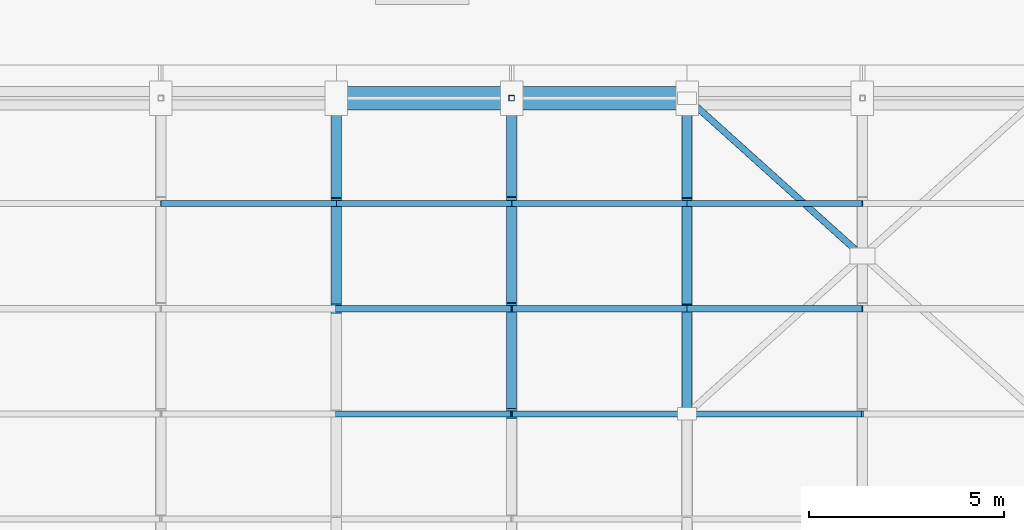
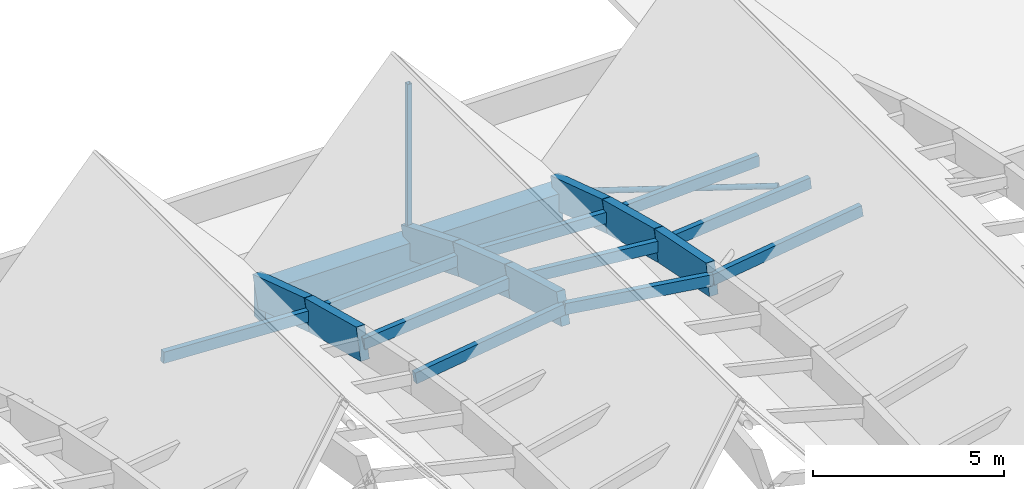
# One storey, part 24 of 39: 20 members, 1 beam.
"""IFC4 building model written with IfcOpenShell, lengths in metres."""

from ifc_helpers import new_model, si_unit, direction, frame, origin, origin_2d, place, context, subcontext, project, spatial, rectangle, hollow_rectangle, hollow_circle, extrude, material, material_profile, profile_set, type_object, element, save


model = new_model("IFC4")

# Units and contexts
model_context = context("Model", 3, precision=1e-05, world=origin(), true_north=direction((0.0, 1.0)))
body_context = subcontext(model_context, "Body", "Model", "MODEL_VIEW")
ifc_project = project(units=[si_unit("LENGTHUNIT", "METRE"), si_unit("AREAUNIT", "SQUARE_METRE"), si_unit("VOLUMEUNIT", "CUBIC_METRE"), si_unit("PLANEANGLEUNIT", "RADIAN"), si_unit("MASSUNIT", "GRAM", prefix="KILO")], contexts=[model_context])

# Site, building, storey
site_placement = place(None, origin())
site = spatial("IfcSite", under=ifc_project, at=site_placement, CompositionType="ELEMENT")
building_placement = place(site_placement, origin())
building = spatial("IfcBuilding", under=site, at=building_placement, Name="Tizgana Railside Sports Hall", CompositionType="ELEMENT")
storey_placement = place(building_placement, frame((0.0, 0.0, 23.699951171875)))
storey = spatial("IfcBuildingStorey", under=building, at=storey_placement, Name="RF", CompositionType="ELEMENT", Elevation=23.699951171875)

# Beam
ifc_material_1 = material(Name="Concrete C40/50", Category="concrete")
ifc_material_profile_1 = material_profile(ifc_material_1, rectangle(XDim=0.60009765625, YDim=1.14990234375, at=origin_2d()), Name="RCB 600x1150")
ifc_profile_set_1 = profile_set([ifc_material_profile_1], Name="Concrete C40/50")
beam_type = type_object("IfcBeamType", Name="Concrete Beam RCB 600x1150", PredefinedType="BEAM", material=ifc_profile_set_1)
beam_placement = place(storey_placement, frame((115.800048828125, 73.199951171875, -3.27490234375), z_axis=(1.0, 0.0, 0.0), x_axis=(0.0, 1.0, 0.0)))
element("IfcBeam", 1, at=beam_placement, inside=storey, type_object=beam_type, Name="RF BEM-1233", PredefinedType="BEAM", context=body_context, shape_type="SweptSolid", body=[
    extrude(rectangle(XDim=0.60009765625, YDim=1.14990234375, at=origin_2d()), origin(), (0.0, 0.0, 1.0), 9.0),
])

# Members
ifc_material_2 = material(Name="Glulam GL32h", Category="wood")
ifc_material_profile_2 = material_profile(ifc_material_2, rectangle(XDim=0.260009765625, YDim=0.97998046875, at=origin_2d()), Name="GL 260x980")
ifc_profile_set_2 = profile_set([ifc_material_profile_2], Name="Glulam GL32h")
member_type_1 = type_object("IfcMemberType", Name="Glulam Arch Segment GL 260x980", PredefinedType="USERDEFINED", material=ifc_profile_set_2)
member_1_placement = place(storey_placement, frame((115.800048828125, 67.800048828125, -1.264404296875), z_axis=(0.0, 0.96740233444, -0.253244394448), x_axis=(-1.0, 0.0, 0.0)))
element("IfcMember", 2, at=member_1_placement, inside=storey, type_object=member_type_1, Name="RF V2 Arch Chord MEM-0520", ObjectType="ARCH_SEGMENT", PredefinedType="USERDEFINED", context=body_context, shape_type="SweptSolid", body=[
    extrude(rectangle(XDim=0.260009765625, YDim=0.97998046875, at=origin_2d()), origin(), (0.0, 0.0, 1.0), 2.791015625),
])
member_2_placement = place(storey_placement, frame((115.800048828125, 70.5, -1.97119140625), z_axis=(0.0, 0.950912040346, -0.30946129245), x_axis=(-1.0, 0.0, 0.0)))
element("IfcMember", 3, at=member_2_placement, inside=storey, type_object=member_type_1, Name="RF V2 Arch Chord MEM-0521", ObjectType="ARCH_SEGMENT", PredefinedType="USERDEFINED", context=body_context, shape_type="SweptSolid", body=[
    extrude(rectangle(XDim=0.260009765625, YDim=0.97998046875, at=origin_2d()), origin(), (0.0, 0.0, 1.0), 2.83935546875),
])
member_3_placement = place(storey_placement, frame((120.300048828125, 65.10009765625, -0.08447265625), z_axis=(0.0, 0.963066151939, -0.269264901148), x_axis=(-1.0, 0.0, 0.0)))
element("IfcMember", 4, at=member_3_placement, inside=storey, type_object=member_type_1, Name="RF V2 Arch Chord MEM-0532", ObjectType="ARCH_SEGMENT", PredefinedType="USERDEFINED", context=body_context, shape_type="SweptSolid", body=[
    extrude(rectangle(XDim=0.260009765625, YDim=0.97998046875, at=origin_2d()), origin(), (0.0, 0.0, 1.0), 2.803466796875),
])
member_4_placement = place(storey_placement, frame((120.300048828125, 67.800048828125, -0.83935546875), z_axis=(0.0, 0.946643794117, -0.322281751049), x_axis=(-1.0, 0.0, 0.0)))
element("IfcMember", 5, at=member_4_placement, inside=storey, type_object=member_type_1, Name="RF V2 Arch Chord MEM-0533", ObjectType="ARCH_SEGMENT", PredefinedType="USERDEFINED", context=body_context, shape_type="SweptSolid", body=[
    extrude(rectangle(XDim=0.260009765625, YDim=0.97998046875, at=origin_2d()), origin(), (0.0, 0.0, 1.0), 2.85205078125),
])
member_5_placement = place(storey_placement, frame((120.300048828125, 70.5, -1.758544921875), z_axis=(0.0, 0.927129277991, -0.37474164686), x_axis=(-1.0, 0.0, 0.0)))
element("IfcMember", 6, at=member_5_placement, inside=storey, type_object=member_type_1, Name="RF V2 Arch Chord MEM-0534", ObjectType="ARCH_SEGMENT", PredefinedType="USERDEFINED", context=body_context, shape_type="SweptSolid", body=[
    extrude(rectangle(XDim=0.260009765625, YDim=0.97998046875, at=origin_2d()), origin(), (0.0, 0.0, 1.0), 2.912109375),
])
member_6_placement = place(storey_placement, frame((124.800048828125, 65.10009765625, -0.721923828125), z_axis=(0.0, 0.980406395207, -0.196985533064), x_axis=(-1.0, 0.0, 0.0)))
element("IfcMember", 7, at=member_6_placement, inside=storey, type_object=member_type_1, Name="RF V2 Arch Chord MEM-0545", ObjectType="ARCH_SEGMENT", PredefinedType="USERDEFINED", context=body_context, shape_type="SweptSolid", body=[
    extrude(rectangle(XDim=0.260009765625, YDim=0.97998046875, at=origin_2d()), origin(), (0.0, 0.0, 1.0), 2.75390625),
])
member_7_placement = place(storey_placement, frame((124.800048828125, 67.800048828125, -1.264404296875), z_axis=(0.0, 0.96740233444, -0.253244394448), x_axis=(-1.0, 0.0, 0.0)))
element("IfcMember", 8, at=member_7_placement, inside=storey, type_object=member_type_1, Name="RF V2 Arch Chord MEM-0546", ObjectType="ARCH_SEGMENT", PredefinedType="USERDEFINED", context=body_context, shape_type="SweptSolid", body=[
    extrude(rectangle(XDim=0.260009765625, YDim=0.97998046875, at=origin_2d()), origin(), (0.0, 0.0, 1.0), 2.791015625),
])
member_8_placement = place(storey_placement, frame((124.800048828125, 70.5, -1.97119140625), z_axis=(0.0, 0.950912040346, -0.30946129245), x_axis=(-1.0, 0.0, 0.0)))
element("IfcMember", 9, at=member_8_placement, inside=storey, type_object=member_type_1, Name="RF V2 Arch Chord MEM-0547", ObjectType="ARCH_SEGMENT", PredefinedType="USERDEFINED", context=body_context, shape_type="SweptSolid", body=[
    extrude(rectangle(XDim=0.260009765625, YDim=0.97998046875, at=origin_2d()), origin(), (0.0, 0.0, 1.0), 2.83935546875),
])
ifc_material_3 = material(Name="Glulam GL28h", Category="wood")
ifc_material_profile_3 = material_profile(ifc_material_3, rectangle(XDim=0.159912109375, YDim=0.360107421875, at=origin_2d()), Name="GL 160x360")
ifc_profile_set_3 = profile_set([ifc_material_profile_3], Name="Glulam GL28h")
member_type_2 = type_object("IfcMemberType", Name="Glulam Roof Purlin GL 160x360", PredefinedType="PURLIN", material=ifc_profile_set_3)
member_9_placement = place(storey_placement, frame((111.300048828125, 70.5, -1.758544921875), z_axis=(0.998885359561, 0.0, -0.047202102223), x_axis=(0.0, 1.0, 0.0)))
element("IfcMember", 10, at=member_9_placement, inside=storey, type_object=member_type_2, Name="RF V2 Purlin MEM-0679", PredefinedType="PURLIN", context=body_context, shape_type="SweptSolid", body=[
    extrude(rectangle(XDim=0.159912109375, YDim=0.360107421875, at=origin_2d()), origin(), (0.0, 0.0, 1.0), 4.505126953125),
])
for number, where, z_axis, x_axis, name in (
    (11, (115.800048828125, 65.10009765625, -0.721923828125), (0.990115330681, 0.0, 0.140255595074), (0.0, 1.0, 0.0), "RF V2 Purlin MEM-0699"),
    (12, (120.300048828125, 65.10009765625, -0.08447265625), (0.990115330681, 0.0, -0.140255595074), (0.0, 1.0, 0.0), "RF V2 Purlin MEM-0700"),
):
    element("IfcMember", number, at=place(storey_placement, frame(where, z_axis=z_axis, x_axis=x_axis)), inside=storey, type_object=member_type_2, Name=name, PredefinedType="PURLIN", context=body_context, shape_type="SweptSolid", body=[
        extrude(rectangle(XDim=0.159912109375, YDim=0.360107421875, at=origin_2d()), origin(), (0.0, 0.0, 1.0), 4.544921875),
    ])
for number, where, z_axis, x_axis, name in (
    (13, (115.800048828125, 67.800048828125, -1.264404296875), (0.995568727865, 0.0, 0.094036738022), (0.0, 1.0, 0.0), "RF V2 Purlin MEM-0701"),
    (14, (120.300048828125, 67.800048828125, -0.83935546875), (0.995568727865, 0.0, -0.094036738022), (0.0, 1.0, 0.0), "RF V2 Purlin MEM-0702"),
):
    element("IfcMember", number, at=place(storey_placement, frame(where, z_axis=z_axis, x_axis=x_axis)), inside=storey, type_object=member_type_2, Name=name, PredefinedType="PURLIN", context=body_context, shape_type="SweptSolid", body=[
        extrude(rectangle(XDim=0.159912109375, YDim=0.360107421875, at=origin_2d()), origin(), (0.0, 0.0, 1.0), 4.52001953125),
    ])
for number, where, z_axis, x_axis, name in (
    (15, (115.800048828125, 70.5, -1.97119140625), (0.998885359561, 0.0, 0.047202102223), (0.0, 1.0, 0.0), "RF V2 Purlin MEM-0703"),
    (16, (120.300048828125, 70.5, -1.758544921875), (0.998885359561, 0.0, -0.047202102223), (0.0, 1.0, 0.0), "RF V2 Purlin MEM-0704"),
):
    element("IfcMember", number, at=place(storey_placement, frame(where, z_axis=z_axis, x_axis=x_axis)), inside=storey, type_object=member_type_2, Name=name, PredefinedType="PURLIN", context=body_context, shape_type="SweptSolid", body=[
        extrude(rectangle(XDim=0.159912109375, YDim=0.360107421875, at=origin_2d()), origin(), (0.0, 0.0, 1.0), 4.505126953125),
    ])
member_10_placement = place(storey_placement, frame((124.800048828125, 65.10009765625, -0.721923828125), z_axis=(0.990115330681, 0.0, 0.140255595074), x_axis=(0.0, 1.0, 0.0)))
element("IfcMember", 17, at=member_10_placement, inside=storey, type_object=member_type_2, Name="RF V2 Purlin MEM-0724", PredefinedType="PURLIN", context=body_context, shape_type="SweptSolid", body=[
    extrude(rectangle(XDim=0.159912109375, YDim=0.360107421875, at=origin_2d()), origin(), (0.0, 0.0, 1.0), 4.544921875),
])
member_11_placement = place(storey_placement, frame((124.800048828125, 67.800048828125, -1.264404296875), z_axis=(0.995568727865, 0.0, 0.094036738022), x_axis=(0.0, 1.0, 0.0)))
element("IfcMember", 18, at=member_11_placement, inside=storey, type_object=member_type_2, Name="RF V2 Purlin MEM-0726", PredefinedType="PURLIN", context=body_context, shape_type="SweptSolid", body=[
    extrude(rectangle(XDim=0.159912109375, YDim=0.360107421875, at=origin_2d()), origin(), (0.0, 0.0, 1.0), 4.52001953125),
])
member_12_placement = place(storey_placement, frame((124.800048828125, 70.5, -1.97119140625), z_axis=(0.998885359561, 0.0, 0.047202102223), x_axis=(0.0, 1.0, 0.0)))
element("IfcMember", 19, at=member_12_placement, inside=storey, type_object=member_type_2, Name="RF V2 Purlin MEM-0728", PredefinedType="PURLIN", context=body_context, shape_type="SweptSolid", body=[
    extrude(rectangle(XDim=0.159912109375, YDim=0.360107421875, at=origin_2d()), origin(), (0.0, 0.0, 1.0), 4.505126953125),
])
ifc_material_4 = material(Name="Steel S355J2", Category="steel")
ifc_material_profile_4 = material_profile(ifc_material_4, hollow_circle(Radius=0.084228515625, WallThickness=0.008056640625, at=origin_2d()), Name="CHS 168.3x8")
ifc_profile_set_4 = profile_set([ifc_material_profile_4], Name="Steel S355J2")
member_type_3 = type_object("IfcMemberType", Name="Steel Brace CHS 168.3x8", PredefinedType="BRACE", material=ifc_profile_set_4)
member_13_placement = place(storey_placement, frame((129.197509765625, 69.2421875, -1.81005859375), z_axis=(-0.732069476291, 0.658870657348, -0.173100371948), x_axis=(-0.668969291431, -0.743290042394, 0.0)))
element("IfcMember", 20, at=member_13_placement, inside=storey, type_object=member_type_3, Name="RF V2 Split Wind Brace MEM-0735", PredefinedType="BRACE", context=body_context, shape_type="SweptSolid", body=[
    extrude(hollow_circle(Radius=0.084228515625, WallThickness=0.008056640625, at=origin_2d()), origin(), (0.0, 0.0, 1.0), 6.0068359375),
])
ifc_material_profile_5 = material_profile(ifc_material_4, hollow_rectangle(XDim=0.139892578125, YDim=0.139892578125, WallThickness=0.008056640625, at=origin_2d()), Name="SHS 140x140x8")
ifc_profile_set_5 = profile_set([ifc_material_profile_5], Name="Steel S355J2")
member_type_4 = type_object("IfcMemberType", Name="Steel Brace SHS 140x140x8", PredefinedType="BRACE", material=ifc_profile_set_5)
member_14_placement = place(storey_placement, frame((120.300048828125, 73.199951171875, -2.89990234375), z_axis=(0.0, 0.0, 1.0), x_axis=(1.0, 0.0, 0.0)))
element("IfcMember", 21, at=member_14_placement, inside=storey, type_object=member_type_4, Name="RF King Post", PredefinedType="BRACE", context=body_context, shape_type="SweptSolid", body=[
    extrude(hollow_rectangle(XDim=0.139892578125, YDim=0.139892578125, WallThickness=0.008056640625, at=origin_2d()), origin(), (0.0, 0.0, 1.0), 5.099853515625),
])

save(model, "model.ifc")
